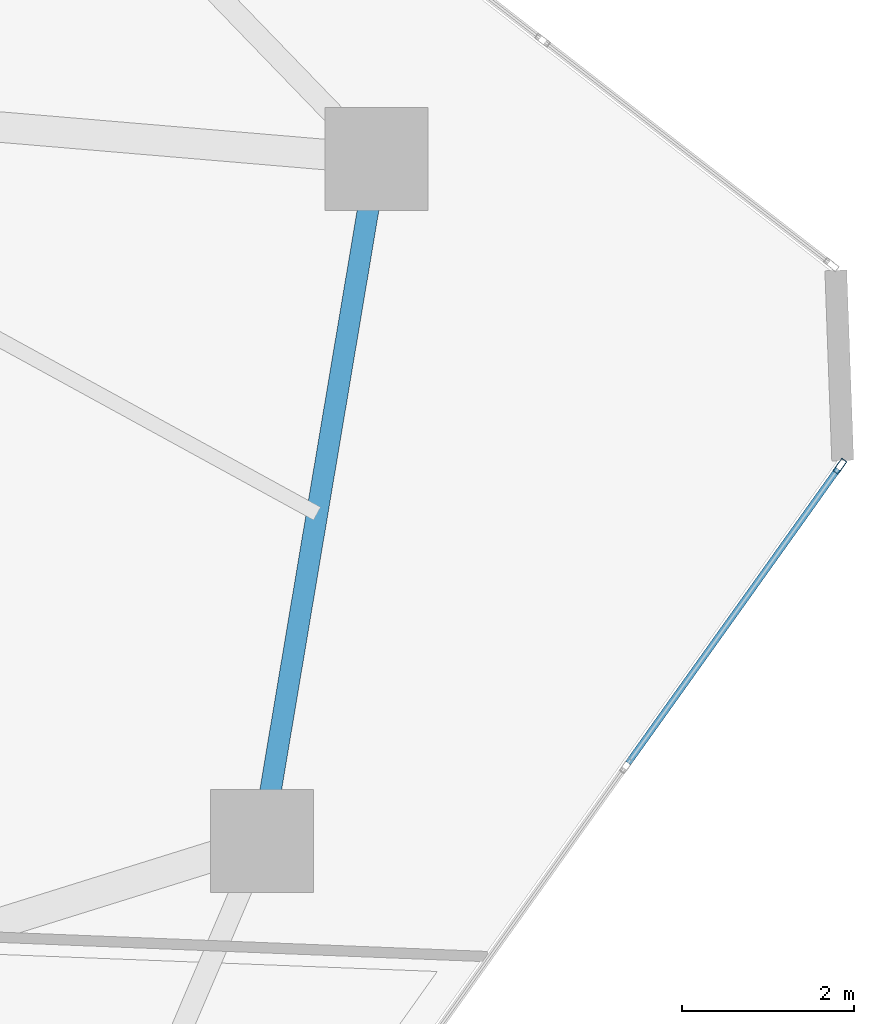
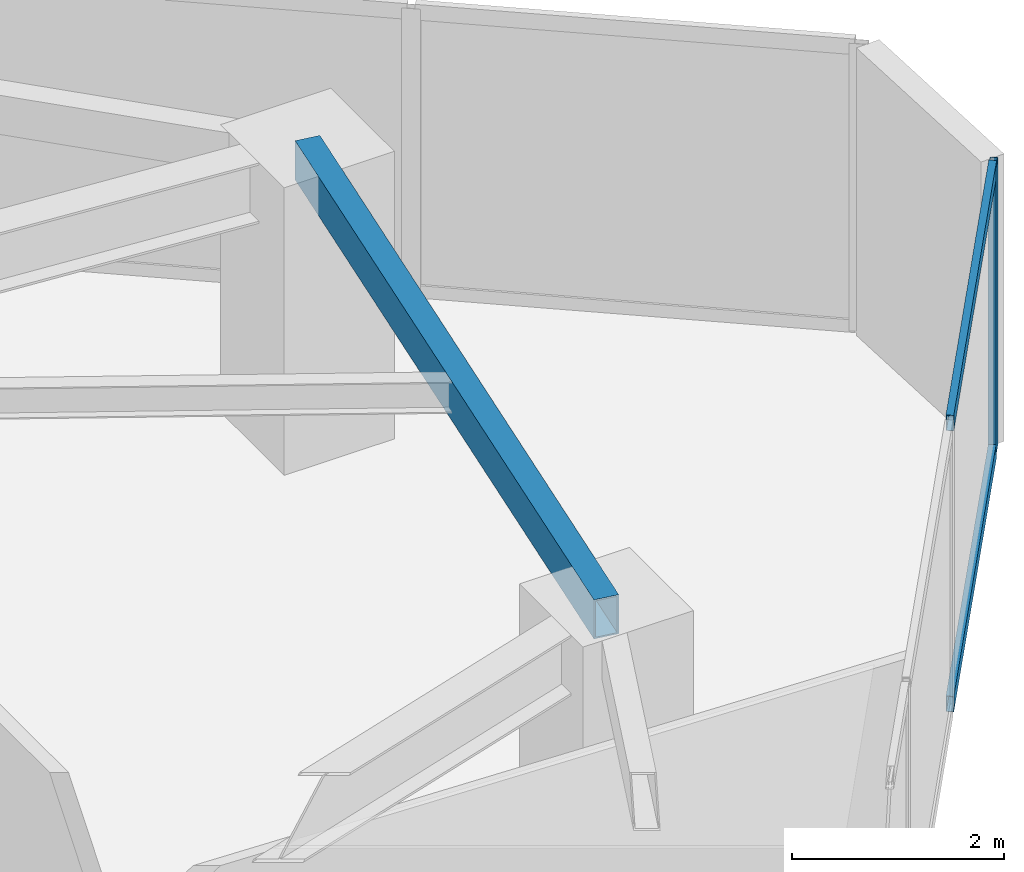
# One storey, part 12 of 22: 3 members, 1 beam, 1 element without a shape of its own.
"""IFC4 building model written with IfcOpenShell, lengths in metres."""

from ifc_helpers import new_model, si_unit, direction, frame, origin, origin_2d, place, context, subcontext, project, spatial, hollow_rectangle, extrude, source, transform, mapped, material, layer, layer_set, material_profile, profile_set, type_object, type_shapes, element, aggregate, save


model = new_model("IFC4")

# Units and contexts
model_context = context("Model", 3, precision=1e-05, world=origin(), true_north=direction((0.0, 1.0)))
body_context = subcontext(model_context, "Body", "Model", "MODEL_VIEW")
ifc_project = project(units=[si_unit("LENGTHUNIT", "METRE"), si_unit("AREAUNIT", "SQUARE_METRE"), si_unit("VOLUMEUNIT", "CUBIC_METRE"), si_unit("PLANEANGLEUNIT", "RADIAN"), si_unit("MASSUNIT", "GRAM", prefix="KILO")], contexts=[model_context])

# Site, building, storey
site_placement = place(None, origin())
site = spatial("IfcSite", under=ifc_project, at=site_placement, CompositionType="ELEMENT")
building_placement = place(site_placement, origin())
building = spatial("IfcBuilding", under=site, at=building_placement, Name="Talar Marvaseh", CompositionType="ELEMENT")
storey_placement = place(building_placement, frame((0.0, 0.0, 121.800048828125)))
storey = spatial("IfcBuildingStorey", under=building, at=storey_placement, Name="L31", CompositionType="ELEMENT", Elevation=121.800048828125)

# Beam
ifc_material_1 = material(Name="Steel S355", Category="steel")
ifc_material_profile_1 = material_profile(ifc_material_1, hollow_rectangle(XDim=0.25, YDim=0.449951171875, WallThickness=0.01611328125, at=origin_2d()), Name="RHS450x250x16")
ifc_profile_set_1 = profile_set([ifc_material_profile_1], Name="Steel S355")
beam_type = type_object("IfcBeamType", Name="Zone 2 Perimeter Spandrel Beam RHS450x250x16", PredefinedType="SPANDREL", material=ifc_profile_set_1)
beam_placement = place(storey_placement, frame((43.0439453125, 36.075927734375, 3.0849609375), z_axis=(-0.165641685249, -0.986186002795, 0.0), x_axis=(0.986186002795, -0.165641685249, 0.0)))
element("IfcBeam", 1, at=beam_placement, inside=storey, type_object=beam_type, Name="L31 Zone 2 Perimeter Spandrel Beam RHS450x250x16", PredefinedType="SPANDREL", context=body_context, shape_type="SweptSolid", body=[
    extrude(hollow_rectangle(XDim=0.25, YDim=0.449951171875, WallThickness=0.01611328125, at=origin_2d()), origin(), (0.0, 0.0, 1.0), 8.059326171875),
])

# Curtain wall, members
ifc_material_2 = material(Name="Architectural Aluminium", Category="aluminium")
ifc_layer = layer(ifc_material_2, 0.199951171875)
ifc_layer_set = layer_set([ifc_layer], Name="Architectural Aluminium")
curtain_wall_type = type_object("IfcCurtainWallType", Name="Unitised Acoustic Library Curtain Wall Z2", PredefinedType="NOTDEFINED", material=ifc_layer_set)
curtain_wall_placement = place(storey_placement, origin())
curtain_wall = element("IfcCurtainWall", 2, at=curtain_wall_placement, inside=storey, type_object=curtain_wall_type, Name="L31 Unitised Acoustic Library Curtain Wall Z2", PredefinedType="NOTDEFINED")
ifc_material_profile_2 = material_profile(ifc_material_2, hollow_rectangle(XDim=0.074951171875, YDim=0.179931640625, WallThickness=0.0048828125, at=origin_2d()), Name="RHS180x75x5")
ifc_profile_set_2 = profile_set([ifc_material_profile_2], Name="Architectural Aluminium")
member_type_1 = type_object("IfcMemberType", Name="Unitised Curtain Wall Standard Mullion RHS180x75x5", PredefinedType="MULLION", material=ifc_profile_set_2)
shared_shape_1 = source(origin(), body_context, "Body", "SweptSolid", [
    extrude(hollow_rectangle(XDim=0.074951171875, YDim=0.179931640625, WallThickness=0.0048828125, at=origin_2d()), origin(), (0.0, 0.0, 1.0), 3.31005859375),
])
type_shapes(member_type_1, [shared_shape_1])
member_1_placement = place(storey_placement, frame((48.44091796875, 32.49462890625, 0.0), z_axis=(0.0, 0.0, 1.0), x_axis=(0.814025920663, -0.580828546551, 0.0)))
member_1 = element("IfcMember", 3, at=member_1_placement, type_object=member_type_1, Name="CW-Z2 mullion 1", PredefinedType="MULLION", context=body_context, shape_type="MappedRepresentation", body=[
    mapped(shared_shape_1, transform((0.0, 0.0, 0.0), x_axis=(1.0, 0.0, 0.0), y_axis=(0.0, 1.0, 0.0), z_axis=(0.0, 0.0, 1.0), scale=1.0)),
])
ifc_material_profile_3 = material_profile(ifc_material_2, hollow_rectangle(XDim=0.074951171875, YDim=0.179931640625, WallThickness=0.0048828125, at=origin_2d()), Name="RHS180x75x5")
ifc_profile_set_3 = profile_set([ifc_material_profile_3], Name="Architectural Aluminium")
member_type_2 = type_object("IfcMemberType", Name="Unitised Curtain Wall Transom RHS180x75x5", PredefinedType="USERDEFINED", material=ifc_profile_set_3)
shared_shape_2 = source(origin(), body_context, "Body", "SweptSolid", [
    extrude(hollow_rectangle(XDim=0.074951171875, YDim=0.179931640625, WallThickness=0.0048828125, at=origin_2d()), origin(), (0.0, 0.0, 1.0), 4.2109375),
])
type_shapes(member_type_2, [shared_shape_2])
member_2_placement = place(storey_placement, frame((48.419189453125, 32.464111328125, 0.037353515625), z_axis=(-0.580804857292, -0.814042823042, 0.0), x_axis=(0.814042823042, -0.580804857292, 0.0)))
member_2 = element("IfcMember", 4, at=member_2_placement, type_object=member_type_2, Name="CW-Z2 transom 1.1", ObjectType="TRANSOM", PredefinedType="USERDEFINED", context=body_context, shape_type="MappedRepresentation", body=[
    mapped(shared_shape_2, transform((0.0, 0.0, 0.0), x_axis=(1.0, 0.0, 0.0), y_axis=(0.0, 1.0, 0.0), z_axis=(0.0, 0.0, 1.0), scale=1.0)),
])
member_3_placement = place(storey_placement, frame((48.419189453125, 32.464111328125, 3.2724609375), z_axis=(-0.580804857292, -0.814042823042, 0.0), x_axis=(0.814042823042, -0.580804857292, 0.0)))
member_3 = element("IfcMember", 5, at=member_3_placement, type_object=member_type_2, Name="CW-Z2 transom 1.2", ObjectType="TRANSOM", PredefinedType="USERDEFINED", context=body_context, shape_type="MappedRepresentation", body=[
    mapped(shared_shape_2, transform((0.0, 0.0, 0.0), x_axis=(1.0, 0.0, 0.0), y_axis=(0.0, 1.0, 0.0), z_axis=(0.0, 0.0, 1.0), scale=1.0)),
])
aggregate(curtain_wall, [member_1, member_2, member_3])

save(model, "model.ifc")
